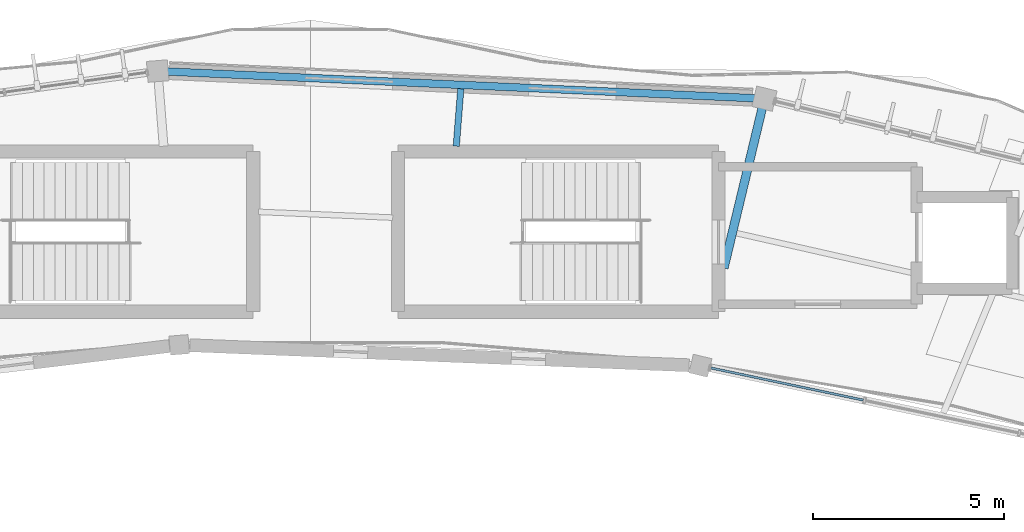
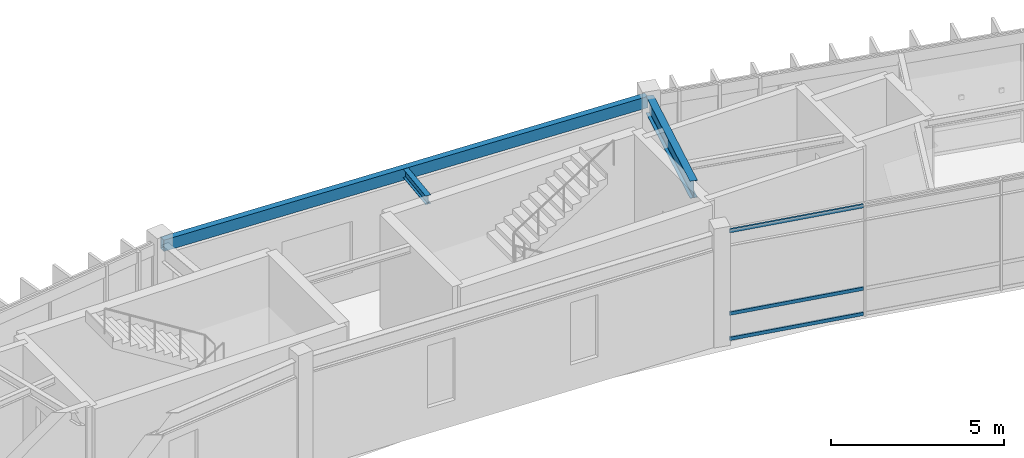
# One storey, part 39 of 79: 3 beams, 3 members, 1 element without a shape of its own.
"""IFC4 building model written with IfcOpenShell, lengths in metres."""

import ifcopenshell
import ifcopenshell.guid

model = None  # the IFC model being written
_history = None  # IfcOwnerHistory: only IFC2X3 demands one
_inside = {}  # id of a spatial element -> (the spatial element, [elements in it])
_under = {}  # id of a project, library or spatial element -> (it, [spatial elements below it])
_declared = {}  # id of a project -> (the project, [libraries it declares])
_typed = {}  # id of a type object -> (the type object, [elements of that type])
_made_of = {}  # id of a material, layer set ... -> (it, [elements and type objects made of it])


def new_model(schema):
    """Start an empty IFC model of exactly this schema.

    Asked for "IFC4X3", IfcOpenShell would pick the latest addendum, in which some entities
    have other attributes; the version numbers below select the first issue.
    IFC2X3 requires an IfcOwnerHistory on every rooted entity: one is made here for all.
    """
    global model, _history
    if schema == "IFC4X3":
        model = ifcopenshell.file(schema_version=(4, 3, 0, 0))
    else:
        model = ifcopenshell.file(schema=schema)
    _inside.clear()
    _under.clear()
    _declared.clear()
    _typed.clear()
    _made_of.clear()
    _history = None
    if model.schema == "IFC2X3":
        org = make("IfcOrganization", Name="unknown")
        user = make(
            "IfcPersonAndOrganization",
            ThePerson=make("IfcPerson", FamilyName="unknown"),
            TheOrganization=org,
        )
        app = make(
            "IfcApplication",
            ApplicationDeveloper=org,
            Version="unknown",
            ApplicationFullName="unknown",
            ApplicationIdentifier="unknown",
        )
        _history = make(
            "IfcOwnerHistory",
            OwningUser=user,
            OwningApplication=app,
            ChangeAction="ADDED",
            CreationDate=0,
        )
    return model


def make(cls, **values):
    """One entity of the class cls with the attributes given. An attribute that is None is left unset."""
    return model.create_entity(
        cls, **{name: value for name, value in values.items() if value is not None}
    )


def rooted(cls, **values):
    """An entity with a GlobalId (a new one), such as an element, a storey or a relation."""
    return make(cls, GlobalId=ifcopenshell.guid.new(), OwnerHistory=_history, **values)


def si_unit(unit_type, name, prefix=None):
    """IfcSIUnit, for example si_unit("LENGTHUNIT", "METRE", prefix="MILLI")."""
    return make("IfcSIUnit", UnitType=unit_type, Prefix=prefix, Name=name)


def assignment(units):
    """IfcUnitAssignment: the units of a project."""
    return None if units is None else make("IfcUnitAssignment", Units=units)


def point(xyz):
    """IfcCartesianPoint."""
    return None if xyz is None else make("IfcCartesianPoint", Coordinates=xyz)


def direction(xyz):
    """IfcDirection."""
    return None if xyz is None else make("IfcDirection", DirectionRatios=xyz)


def frame(location, z_axis=None, x_axis=None):
    """IfcAxis2Placement3D, a coordinate frame: its origin and axes. An axis left out is left unset."""
    return make(
        "IfcAxis2Placement3D",
        Location=point(location),
        Axis=direction(z_axis),
        RefDirection=direction(x_axis),
    )


def frame_2d(location, x_axis=None):
    """IfcAxis2Placement2D, a coordinate frame in the plane: its origin and x axis."""
    return make(
        "IfcAxis2Placement2D", Location=point(location), RefDirection=direction(x_axis)
    )


def origin():
    """The frame at (0, 0, 0) with its axes left unset."""
    return frame((0.0, 0.0, 0.0))


def origin_2d():
    """The frame at (0, 0) in the plane with its x axis left unset."""
    return frame_2d((0.0, 0.0))


def place(relative_to, where):
    """IfcLocalPlacement: puts the frame where relative to a parent placement (None: the world)."""
    return make(
        "IfcLocalPlacement", PlacementRelTo=relative_to, RelativePlacement=where
    )


def context(
    kind, dimensions, precision=None, world=None, true_north=None, identifier=None
):
    """IfcGeometricRepresentationContext, for example the 3D "Model" context."""
    return make(
        "IfcGeometricRepresentationContext",
        ContextIdentifier=identifier,
        ContextType=kind,
        CoordinateSpaceDimension=dimensions,
        Precision=precision,
        WorldCoordinateSystem=world,
        TrueNorth=true_north,
    )


def subcontext(parent, identifier, kind, view, scale=None):
    """IfcGeometricRepresentationSubContext, for example "Body" below "Model"."""
    return make(
        "IfcGeometricRepresentationSubContext",
        ContextIdentifier=identifier,
        ContextType=kind,
        ParentContext=parent,
        TargetScale=scale,
        TargetView=view,
    )


def project(units=None, contexts=None):
    """IfcProject with its units and contexts."""
    return rooted(
        "IfcProject",
        Name="project",
        RepresentationContexts=contexts,
        UnitsInContext=assignment(units),
    )


def spatial(cls, under=None, at=None, **own):
    """A site, building, storey or space (cls), placed at a placement, below another one or the project."""
    s = rooted(cls, ObjectPlacement=at, **own)
    if under is not None:
        _under.setdefault(under.id(), (under, []))[1].append(s)
    return s


def profile(cls, at=None, kind="AREA", **sizes):
    """A parametric profile (cls). Its sizes go by their IFC names, for example OverallWidth=200.0."""
    return make(cls, ProfileType=kind, Position=at, **sizes)


def hollow_rectangle(**sizes):
    """IfcRectangleHollowProfileDef."""
    return profile("IfcRectangleHollowProfileDef", **sizes)


def i_section(**sizes):
    """IfcIShapeProfileDef."""
    return profile("IfcIShapeProfileDef", **sizes)


def extrude(swept, where, along, depth):
    """IfcExtrudedAreaSolid: the profile swept, set in the frame where, extruded along a direction by depth."""
    return make(
        "IfcExtrudedAreaSolid",
        SweptArea=swept,
        Position=where,
        ExtrudedDirection=direction(along),
        Depth=depth,
    )


def shape(context_of_items, identifier, shape_type, items):
    """IfcShapeRepresentation: the items that make up one representation, for example the "Body"."""
    return make(
        "IfcShapeRepresentation",
        ContextOfItems=context_of_items,
        RepresentationIdentifier=identifier,
        RepresentationType=shape_type,
        Items=items,
    )


def material(Name=None, Category=None):
    """IfcMaterial."""
    return make("IfcMaterial", Name=Name, Category=Category)


def material_profile(
    of_material, cross_section, Name=None, Category=None, Priority=None
):
    """IfcMaterialProfile: a cross section and its material."""
    return make(
        "IfcMaterialProfile",
        Name=Name,
        Material=of_material,
        Profile=cross_section,
        Priority=Priority,
        Category=Category,
    )


def profile_set(profiles, Name=None, composite=None):
    """IfcMaterialProfileSet."""
    return make(
        "IfcMaterialProfileSet",
        Name=Name,
        MaterialProfiles=profiles,
        CompositeProfile=composite,
    )


def made_of(thing, what):
    """Note that an element or type object is made of a material, layer set ...; save() writes the relation."""
    if what is not None:
        _made_of.setdefault(what.id(), (what, []))[1].append(thing)
    return thing


def type_object(cls, material=None, **own):
    """A type object (cls), such as IfcWallType, which elements share."""
    return made_of(rooted(cls, **own), material)


def element(
    cls,
    number,
    at=None,
    inside=None,
    cuts=None,
    type_object=None,
    material=None,
    context=None,
    identifier="Body",
    shape_type=None,
    held_by="IfcProductDefinitionShape",
    body=None,
    shapes=None,
    **own,
):
    """One element of the class cls, such as IfcWall. Its Tag is "e" and its number.

    at: its placement. inside: the storey or other place that contains it. cuts: it is an
    opening in that element (IfcRelVoidsElement). A single representation is given by context,
    identifier, shape_type and body (its items); several are given by shapes. held_by: the class
    of the entity that holds the representations. save() writes the other relations.
    """
    e = rooted(cls, Tag="e%d" % number, ObjectPlacement=at, **own)
    if body is not None:
        shapes = [shape(context, identifier, shape_type, body)]
    if shapes is not None:
        e.Representation = make(held_by, Representations=shapes)
    if inside is not None:
        _inside.setdefault(inside.id(), (inside, []))[1].append(e)
    if cuts is not None:
        rooted(
            "IfcRelVoidsElement", RelatingBuildingElement=cuts, RelatedOpeningElement=e
        )
    if type_object is not None:
        _typed.setdefault(type_object.id(), (type_object, []))[1].append(e)
    return made_of(e, material)


def aggregate(whole, parts):
    """IfcRelAggregates: a whole, such as a stair, and the parts it consists of."""
    return rooted("IfcRelAggregates", RelatingObject=whole, RelatedObjects=parts)


def save(model, path):
    """Write the relations noted so far, then the file.

    IfcRelAggregates (storeys below a building ...), IfcRelContainedInSpatialStructure (elements
    in a storey), IfcRelDefinesByType, IfcRelAssociatesMaterial and IfcRelDeclares: one each for
    every whole, place, type object, material and project.
    """
    for whole, parts in _under.values():
        aggregate(whole, parts)
    for where, things in _inside.values():
        rooted(
            "IfcRelContainedInSpatialStructure",
            RelatedElements=things,
            RelatingStructure=where,
        )
    for kind, things in _typed.values():
        rooted("IfcRelDefinesByType", RelatedObjects=things, RelatingType=kind)
    for what, things in _made_of.values():
        rooted("IfcRelAssociatesMaterial", RelatedObjects=things, RelatingMaterial=what)
    for by, libraries in _declared.values():
        rooted("IfcRelDeclares", RelatingContext=by, RelatedDefinitions=libraries)
    model.write(path)


model = new_model("IFC4")

# Units and contexts
model_context = context("Model", 3, precision=1e-05, world=origin(), true_north=direction((0.0, 1.0)))
body_context = subcontext(model_context, "Body", "Model", "MODEL_VIEW")
ifc_project = project(units=[si_unit("LENGTHUNIT", "METRE"), si_unit("AREAUNIT", "SQUARE_METRE"), si_unit("VOLUMEUNIT", "CUBIC_METRE"), si_unit("PLANEANGLEUNIT", "RADIAN"), si_unit("MASSUNIT", "GRAM", prefix="KILO"), si_unit("THERMODYNAMICTEMPERATUREUNIT", "KELVIN"), si_unit("POWERUNIT", "WATT")], contexts=[model_context])

# Site, building, storey
site_placement = place(None, origin())
site = spatial("IfcSite", under=ifc_project, at=site_placement, CompositionType="ELEMENT")
building_placement = place(site_placement, origin())
building = spatial("IfcBuilding", under=site, at=building_placement, Name="Darbajah Civic Hall", CompositionType="ELEMENT")
storey_placement = place(building_placement, frame((0.0, 0.0, 22.199951171875)))
storey = spatial("IfcBuildingStorey", under=building, at=storey_placement, Name="L05", CompositionType="ELEMENT", Elevation=22.199951171875)

# Curtain wall, members
ifc_material_1 = material(Name="Anodised Bronze Aluminium and Low-E Glazing", Category="aluminium")
curtain_wall_type = type_object("IfcCurtainWallType", Name="Unitised Curtain Wall CW-65 12400x3900", PredefinedType="USERDEFINED", material=ifc_material_1)
curtain_wall_placement = place(storey_placement, origin())
curtain_wall = element("IfcCurtainWall", 1, at=curtain_wall_placement, inside=storey, type_object=curtain_wall_type, Name="L05 unitised curtain wall CW-V1I-L05-03", ObjectType="UNITISED CURTAIN WALL", PredefinedType="USERDEFINED")
ifc_material_2 = material(Name="Anodised Bronze Aluminium", Category="aluminium")
ifc_material_profile_1 = material_profile(ifc_material_2, hollow_rectangle(XDim=0.06005859375, YDim=0.1201171875, WallThickness=0.003173828125, at=origin_2d()), Name="ALU TRANSOM 60x120")
ifc_profile_set_1 = profile_set([ifc_material_profile_1], Name="Anodised Bronze Aluminium")
member_type = type_object("IfcMemberType", Name="ALU TRANSOM 60x120", PredefinedType="USERDEFINED", material=ifc_profile_set_1)
member_1_placement = place(storey_placement, frame((103.593017578125, 110.583740234375, 0.06005859375), z_axis=(-0.978481078293, 0.20633656831, 0.0), x_axis=(-0.20633656831, -0.978481078293, 0.0)))
member_1 = element("IfcMember", 2, at=member_1_placement, type_object=member_type, Name="CW-V1I-L05-03 transom 3.1", ObjectType="TRANSOM", PredefinedType="USERDEFINED", context=body_context, shape_type="SweptSolid", body=[
    extrude(hollow_rectangle(XDim=0.06005859375, YDim=0.1201171875, WallThickness=0.003173828125, at=origin_2d()), origin(), (0.0, 0.0, 1.0), 4.074951171875),
])
member_2_placement = place(storey_placement, frame((103.593017578125, 110.583740234375, 0.949951171875), z_axis=(-0.978481078293, 0.20633656831, 0.0), x_axis=(-0.20633656831, -0.978481078293, 0.0)))
member_2 = element("IfcMember", 3, at=member_2_placement, type_object=member_type, Name="CW-V1I-L05-03 transom 3.2", ObjectType="TRANSOM", PredefinedType="USERDEFINED", context=body_context, shape_type="SweptSolid", body=[
    extrude(hollow_rectangle(XDim=0.06005859375, YDim=0.1201171875, WallThickness=0.003173828125, at=origin_2d()), origin(), (0.0, 0.0, 1.0), 4.074951171875),
])
member_3_placement = place(storey_placement, frame((103.593017578125, 110.583740234375, 3.860107421875), z_axis=(-0.978481078293, 0.20633656831, 0.0), x_axis=(-0.20633656831, -0.978481078293, 0.0)))
member_3 = element("IfcMember", 4, at=member_3_placement, type_object=member_type, Name="CW-V1I-L05-03 transom 3.3", ObjectType="TRANSOM", PredefinedType="USERDEFINED", context=body_context, shape_type="SweptSolid", body=[
    extrude(hollow_rectangle(XDim=0.06005859375, YDim=0.1201171875, WallThickness=0.003173828125, at=origin_2d()), origin(), (0.0, 0.0, 1.0), 4.074951171875),
])
aggregate(curtain_wall, [member_1, member_2, member_3])

# Beams
ifc_material_3 = material(Name="Steel S355JR", Category="steel")
ifc_material_profile_2 = material_profile(ifc_material_3, hollow_rectangle(XDim=0.199951171875, YDim=0.39990234375, WallThickness=0.013916015625, at=origin_2d()), Name="RHS 400x200x14")
ifc_profile_set_2 = profile_set([ifc_material_profile_2], Name="Steel S355JR")
beam_type_1 = type_object("IfcBeamType", Name="RHS 400x200x14", PredefinedType="SPANDREL", material=ifc_profile_set_2)
beam_1_placement = place(storey_placement, frame((100.92578125, 118.488525390625, 3.719970703125), z_axis=(-0.998964928608, 0.04548704664, 0.0), x_axis=(-0.04548704664, -0.998964928608, 0.0)))
element("IfcBeam", 5, at=beam_1_placement, inside=storey, type_object=beam_type_1, Name="L05 beam SP-RHS400", PredefinedType="SPANDREL", context=body_context, shape_type="SweptSolid", body=[
    extrude(hollow_rectangle(XDim=0.199951171875, YDim=0.39990234375, WallThickness=0.013916015625, at=origin_2d()), origin(), (0.0, 0.0, 1.0), 15.763671875),
])
ifc_material_profile_3 = material_profile(ifc_material_3, i_section(OverallWidth=0.165771484375, OverallDepth=0.306640625, WebThickness=0.006591796875, FlangeThickness=0.01171875, FilletRadius=0.0087890625, at=origin_2d()), Name="UB 305x165x46")
ifc_profile_set_3 = profile_set([ifc_material_profile_3], Name="Steel S355JR")
beam_type_2 = type_object("IfcBeamType", Name="UB 305x165x46", PredefinedType="JOIST", material=ifc_profile_set_3)
beam_2_placement = place(storey_placement, frame((92.925537109375, 117.239990234375, 3.766845703125), z_axis=(0.078575634668, 0.996908155066, 0.0), x_axis=(-0.996908155066, 0.078575634668, 0.0)))
element("IfcBeam", 6, at=beam_2_placement, inside=storey, type_object=beam_type_2, Name="L05 beam SJ-305", PredefinedType="JOIST", context=body_context, shape_type="SweptSolid", body=[
    extrude(i_section(OverallWidth=0.165771484375, OverallDepth=0.306640625, WebThickness=0.006591796875, FlangeThickness=0.01171875, FilletRadius=0.0087890625, at=origin_2d()), origin(), (0.0, 0.0, 1.0), 1.510009765625),
])
ifc_material_profile_4 = material_profile(ifc_material_3, i_section(OverallWidth=0.228271484375, OverallDepth=0.607666015625, WebThickness=0.010986328125, FlangeThickness=0.017333984375, FilletRadius=0.0126953125, at=origin_2d()), Name="UB 610x229x113")
ifc_profile_set_4 = profile_set([ifc_material_profile_4], Name="Steel S355JR")
beam_type_3 = type_object("IfcBeamType", Name="UB 610x229x113", PredefinedType="BEAM", material=ifc_profile_set_4)
beam_3_placement = place(storey_placement, frame((99.93994140625, 114.0458984375, 3.6162109375), z_axis=(0.233469714674, 0.972364073961, 0.0), x_axis=(-0.972364073961, 0.233469714674, 0.0)))
element("IfcBeam", 7, at=beam_3_placement, inside=storey, type_object=beam_type_3, Name="L05 beam SB-610", PredefinedType="BEAM", context=body_context, shape_type="SweptSolid", body=[
    extrude(i_section(OverallWidth=0.228271484375, OverallDepth=0.607666015625, WebThickness=0.010986328125, FlangeThickness=0.017333984375, FilletRadius=0.0126953125, at=origin_2d()), origin(), (0.0, 0.0, 1.0), 4.485107421875),
])

save(model, "model.ifc")
